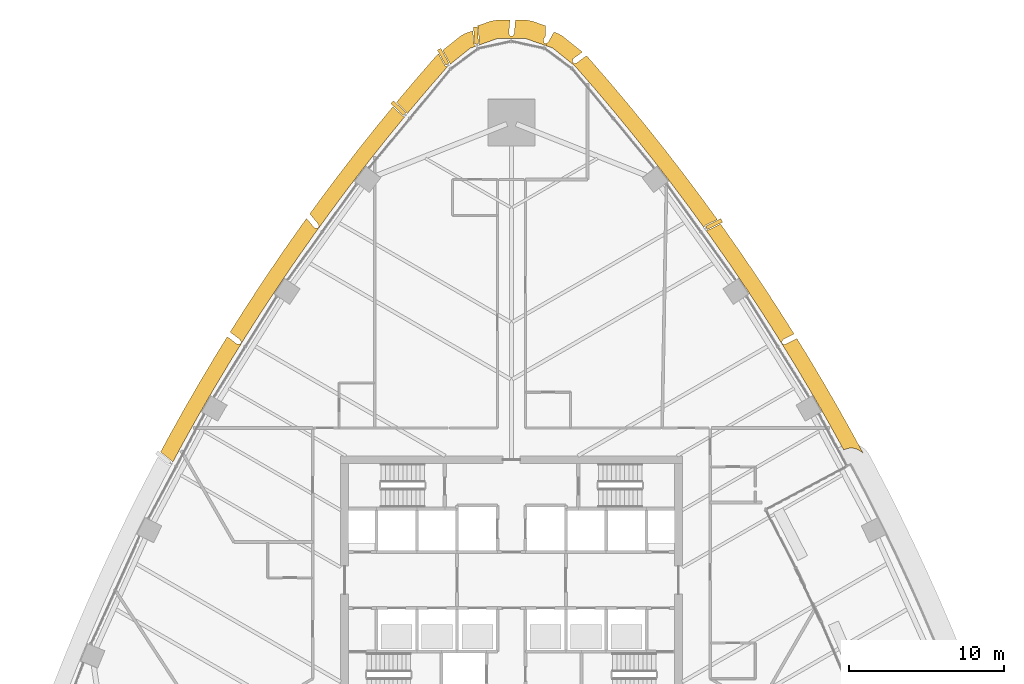
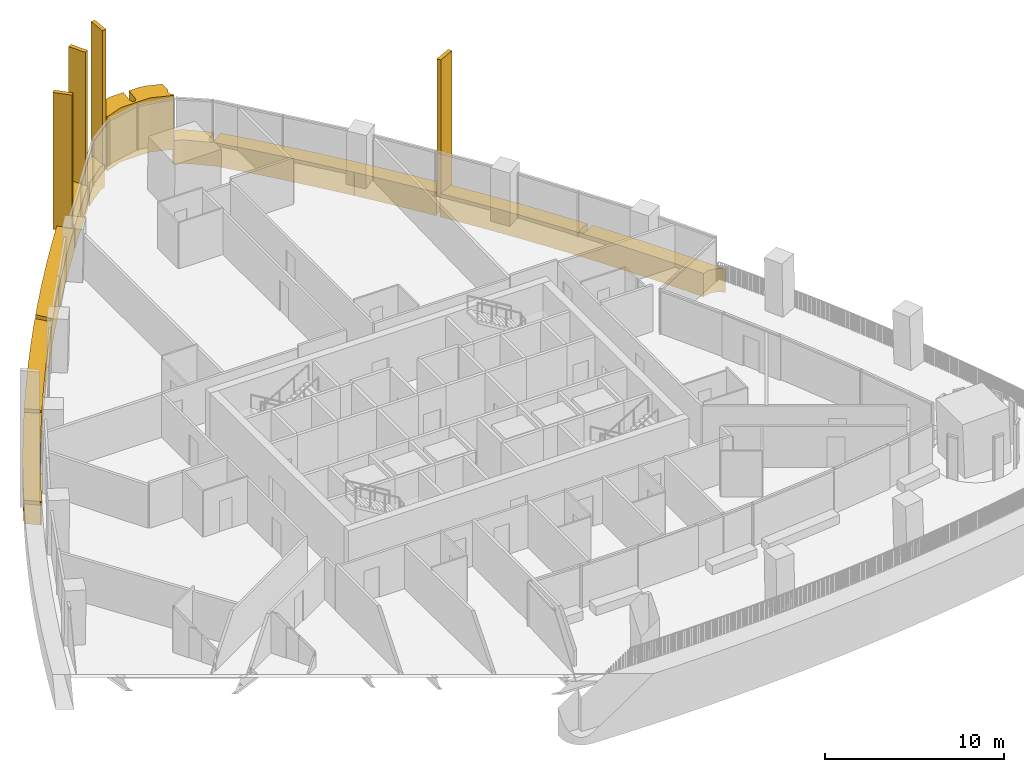
# One storey, part 21 of 22: 10 coverings.
"""IFC4 building model written with IfcOpenShell, lengths in metres."""

from ifc_helpers import new_model, si_unit, direction, frame, origin, origin_2d, place, context, subcontext, project, spatial, polyline, rectangle, outline, extrude, material, layer, layer_set, material_profile, profile_set, type_object, element, save


model = new_model("IFC4")

# Units and contexts
model_context = context("Model", 3, precision=1e-05, world=origin(), true_north=direction((0.0, 1.0)))
body_context = subcontext(model_context, "Body", "Model", "MODEL_VIEW")
ifc_project = project(units=[si_unit("LENGTHUNIT", "METRE"), si_unit("AREAUNIT", "SQUARE_METRE"), si_unit("VOLUMEUNIT", "CUBIC_METRE"), si_unit("PLANEANGLEUNIT", "RADIAN"), si_unit("MASSUNIT", "GRAM", prefix="KILO")], contexts=[model_context])

# Site, building, storey
site_placement = place(None, origin())
site = spatial("IfcSite", under=ifc_project, at=site_placement, CompositionType="ELEMENT")
building_placement = place(site_placement, origin())
building = spatial("IfcBuilding", under=site, at=building_placement, Name="Sierra Prisma Convention Tower", CompositionType="ELEMENT")
storey_placement = place(building_placement, frame((0.0, 0.0, 103.5)))
storey = spatial("IfcBuildingStorey", under=building, at=storey_placement, Name="L22", CompositionType="ELEMENT", Elevation=103.5)

# Coverings
ifc_material_1 = material(Name="Aluminium composite bronze anodised", Category="aluminium")
ifc_layer_1 = layer(ifc_material_1, 1.199951171875)
ifc_layer_set_1 = layer_set([ifc_layer_1], Name="Bronze corner pier")
covering_type_1 = type_object("IfcCoveringType", Name="Bronze corner pier", PredefinedType="CLADDING", material=ifc_layer_set_1)
covering_1_placement = place(storey_placement, frame((0.0, 0.0, -0.60009765625)))
element("IfcCovering", 1, at=covering_1_placement, inside=storey, type_object=covering_type_1, Name="Corner pier N L22.1", PredefinedType="CLADDING", context=body_context, shape_type="SweptSolid", body=[
    extrude(outline(polyline([(2.085693359375, 34.638427734375), (2.0869140625, 34.6337890625), (2.0888671875, 34.629150390625), (2.09130859375, 34.624755859375), (2.093994140625, 34.62060546875), (2.09716796875, 34.61669921875), (2.1005859375, 34.61328125), (2.1044921875, 34.610107421875), (2.108642578125, 34.607421875), (2.113037109375, 34.60498046875), (2.11767578125, 34.60302734375), (2.199951171875, 34.57421875), (2.199951171875, 34.426513671875), (0.92041015625, 34.87744140625), (-0.92041015625, 34.87744140625), (-2.09619140625, 34.463134765625), (-2.072021484375, 34.53125), (-2.070556640625, 34.5361328125), (-2.069580078125, 34.541259765625), (-2.069091796875, 34.54638671875), (-2.0693359375, 34.5517578125), (-2.154052734375, 35.6484375), (-2.15478515625, 35.6533203125), (-2.15576171875, 35.658203125), (-2.1572265625, 35.662841796875), (-2.1591796875, 35.667236328125), (-2.161865234375, 35.67138671875), (-2.16455078125, 35.675537109375), (-2.167724609375, 35.67919921875), (-2.17138671875, 35.6826171875), (-2.17529296875, 35.685546875), (-2.179443359375, 35.688232421875), (-2.183837890625, 35.6904296875), (-2.1884765625, 35.692138671875), (-2.193115234375, 35.693359375), (-2.197998046875, 35.6943359375), (-2.199951171875, 35.6943359375), (-2.199951171875, 35.69873046875), (-1.3193359375, 36.00927734375), (-0.92041015625, 36.077392578125), (-0.09912109375, 36.077392578125), (-0.17431640625, 35.216796875), (-0.174560546875, 35.2119140625), (-0.17431640625, 35.206787109375), (-0.17333984375, 35.201904296875), (-0.172119140625, 35.197021484375), (-0.170166015625, 35.1923828125), (-0.16796875, 35.187744140625), (-0.093505859375, 35.056884765625), (-0.0908203125, 35.052978515625), (-0.087890625, 35.049072265625), (-0.084716796875, 35.045654296875), (-0.0810546875, 35.04248046875), (-0.0771484375, 35.039794921875), (-0.072998046875, 35.037353515625), (-0.068603515625, 35.035400390625), (-0.064208984375, 35.03369140625), (-0.0595703125, 35.032470703125), (-0.0546875, 35.031982421875), (-0.050048828125, 35.031494140625), (0.050048828125, 35.031494140625), (0.054931640625, 35.031982421875), (0.059814453125, 35.03271484375), (0.064453125, 35.03369140625), (0.06884765625, 35.035400390625), (0.0732421875, 35.037353515625), (0.077392578125, 35.039794921875), (0.081298828125, 35.042724609375), (0.085205078125, 35.0458984375), (0.08837890625, 35.049560546875), (0.09130859375, 35.053466796875), (0.165771484375, 35.16259765625), (0.16845703125, 35.1669921875), (0.170654296875, 35.17138671875), (0.17236328125, 35.17626953125), (0.173583984375, 35.181396484375), (0.17431640625, 35.186279296875), (0.252197265625, 36.077392578125), (0.92041015625, 36.077392578125), (1.3193359375, 36.00927734375), (2.199951171875, 35.69873046875), (2.199951171875, 35.065185546875), (2.06884765625, 34.832763671875), (2.06689453125, 34.82861328125), (2.065185546875, 34.82421875), (2.063720703125, 34.81982421875), (2.06298828125, 34.815185546875), (2.0625, 34.810546875), (2.0625, 34.805908203125), (2.06298828125, 34.801513671875), (2.084716796875, 34.643310546875), (2.085693359375, 34.638427734375)])), origin(), (0.0, 0.0, 1.0), 3.7001953125),
])
ifc_material_2 = material(Name="Aluminium 6063-T6 bronze anodised", Category="aluminium")
ifc_material_profile = material_profile(ifc_material_2, rectangle(XDim=1.10009765625, YDim=0.25, at=origin_2d()), Name="ALU FIN 1100x250")
ifc_profile_set = profile_set([ifc_material_profile], Name="Aluminium 6063-T6 bronze anodised")
covering_type_2 = type_object("IfcCoveringType", Name="Bronze facade fin", PredefinedType="CLADDING", material=ifc_profile_set)
for number, where, z_axis, x_axis, name in (
    (2, (13.049072265625, 22.931396484375, -0.300048828125), (0.0, 0.0, 1.0), (0.899257572241, 0.437419499757, 0.0), "Fin L22.7"),
    (3, (-2.2861328125, 35.086669921875, -0.300048828125), (0.0, 0.0, 1.0), (-0.07703600304, 0.997028311652, 0.0), "Fin L22.14"),
    (4, (-4.397705078125, 33.713134765625, -0.300048828125), (0.0, 0.0, 1.0), (-0.482310760127, 0.876000188736, 0.0), "Fin L22.15"),
    (5, (-7.286376953125, 30.40380859375, -0.300048828125), (0.0, 0.0, 1.0), (-0.715287121265, 0.69883069062, 0.0), "Fin L22.16"),
):
    element("IfcCovering", number, at=place(storey_placement, frame(where, z_axis=z_axis, x_axis=x_axis)), inside=storey, type_object=covering_type_2, Name=name, ObjectType="FIN", PredefinedType="CLADDING", context=body_context, shape_type="SweptSolid", body=[
        extrude(rectangle(XDim=1.10009765625, YDim=0.25, at=origin_2d()), origin(), (0.0, 0.0, 1.0), 9.35009765625),
    ])
ifc_material_3 = material(Name="Aluminium composite bronze anodised", Category="aluminium")
ifc_layer_2 = layer(ifc_material_3, 1.0)
ifc_layer_set_2 = layer_set([ifc_layer_2], Name="Bronze spandrel band")
covering_type_3 = type_object("IfcCoveringType", Name="Bronze spandrel band", PredefinedType="CLADDING", material=ifc_layer_set_2)
covering_2_placement = place(storey_placement, frame((0.0, 0.0, -1.60009765625)))
element("IfcCovering", 6, at=covering_2_placement, inside=storey, type_object=covering_type_3, Name="Spandrel band L22.3", PredefinedType="CLADDING", context=body_context, shape_type="SweptSolid", body=[
    extrude(outline(polyline([(15.33203125, 18.466064453125), (15.32958984375, 18.47021484375), (14.99609375, 18.9677734375), (14.99560546875, 18.96875), (14.9951171875, 18.969482421875), (14.66162109375, 19.467041015625), (14.65869140625, 19.47119140625), (14.655517578125, 19.474609375), (14.65185546875, 19.47802734375), (14.64794921875, 19.48095703125), (14.646240234375, 19.48193359375), (13.878173828125, 20.6103515625), (12.736572265625, 22.235107421875), (12.523193359375, 22.529541015625), (12.6083984375, 22.528564453125), (12.61328125, 22.52880859375), (12.617919921875, 22.529296875), (12.622314453125, 22.5302734375), (12.626708984375, 22.53173828125), (12.631103515625, 22.533447265625), (13.46240234375, 22.93798828125), (13.54638671875, 22.822021484375), (13.554931640625, 22.81005859375), (14.696533203125, 21.18505859375), (14.704833984375, 21.173095703125), (15.822265625, 19.531494140625), (15.83056640625, 19.51904296875), (16.923583984375, 17.861083984375), (16.931640625, 17.8486328125), (18.0, 16.1748046875), (18.0078125, 16.162109375), (18.1953125, 15.8583984375), (17.503662109375, 15.50537109375), (17.499267578125, 15.502685546875), (17.4951171875, 15.5), (17.4912109375, 15.49658203125), (17.48779296875, 15.492919921875), (17.48486328125, 15.48876953125), (17.482421875, 15.484619140625), (17.410888671875, 15.351806640625), (17.40869140625, 15.34765625), (17.4072265625, 15.343017578125), (17.406005859375, 15.33837890625), (17.4052734375, 15.333740234375), (17.40478515625, 15.328857421875), (17.405029296875, 15.32421875), (17.40576171875, 15.3193359375), (17.40673828125, 15.314697265625), (17.408203125, 15.310302734375), (17.41015625, 15.305908203125), (17.41259765625, 15.301513671875), (17.465576171875, 15.216796875), (17.46826171875, 15.212890625), (17.471435546875, 15.209228515625), (17.47509765625, 15.205810546875), (17.478759765625, 15.202880859375), (17.48291015625, 15.2001953125), (17.4873046875, 15.197998046875), (17.49169921875, 15.196044921875), (17.496337890625, 15.19482421875), (17.501220703125, 15.19384765625), (17.505859375, 15.193359375), (17.637939453125, 15.188232421875), (17.64306640625, 15.188232421875), (17.648193359375, 15.188720703125), (17.6533203125, 15.18994140625), (17.657958984375, 15.19140625), (17.66259765625, 15.193603515625), (18.3798828125, 15.5595703125), (19.051025390625, 14.47265625), (19.058837890625, 14.4599609375), (20.0771484375, 12.755126953125), (20.084716796875, 12.7421875), (21.077392578125, 11.022705078125), (21.084716796875, 11.009765625), (22.052001953125, 9.275390625), (22.05908203125, 9.262451171875), (22.666748046875, 8.13427734375), (22.600830078125, 8.206787109375), (22.526611328125, 8.273681640625), (22.4462890625, 8.3330078125), (22.360595703125, 8.384033203125), (22.270263671875, 8.426513671875), (22.176025390625, 8.460205078125), (22.0791015625, 8.484375), (21.98046875, 8.498779296875), (21.880615234375, 8.503662109375), (21.781005859375, 8.498779296875), (21.68212890625, 8.48388671875), (21.585205078125, 8.459716796875), (21.4912109375, 8.426025390625), (21.40087890625, 8.38330078125), (21.397705078125, 8.381591796875), (21.1787109375, 8.788330078125), (20.21142578125, 10.522705078125), (20.0244140625, 10.8466796875), (20.0234375, 10.85107421875), (20.022216796875, 10.855712890625), (20.0205078125, 10.8603515625), (20.01806640625, 10.86474609375), (19.418212890625, 11.90380859375), (19.41552734375, 11.907958984375), (19.412353515625, 11.911865234375), (19.408935546875, 11.915283203125), (19.405517578125, 11.918212890625), (19.218505859375, 12.2421875), (18.2001953125, 13.947265625), (17.156982421875, 15.63671875), (16.088623046875, 17.310791015625), (15.33740234375, 18.450439453125), (15.3369140625, 18.452392578125), (15.335693359375, 18.45703125), (15.333984375, 18.461669921875), (15.33203125, 18.466064453125)])), origin(), (0.0, 0.0, 1.0), 1.60009765625),
])
covering_3_placement = place(storey_placement, frame((0.0, 0.0, -1.60009765625)))
element("IfcCovering", 7, at=covering_3_placement, inside=storey, type_object=covering_type_3, Name="Spandrel band L22.4", PredefinedType="CLADDING", context=body_context, shape_type="SweptSolid", body=[
    extrude(outline(polyline([(-17.50537109375, 15.193359375), (-17.50048828125, 15.19384765625), (-17.495849609375, 15.19482421875), (-17.4912109375, 15.1962890625), (-17.48681640625, 15.197998046875), (-17.482666015625, 15.2001953125), (-17.478515625, 15.202880859375), (-17.474853515625, 15.205810546875), (-17.471435546875, 15.209228515625), (-17.468505859375, 15.212890625), (-17.465576171875, 15.216796875), (-17.41259765625, 15.301513671875), (-17.41015625, 15.305908203125), (-17.408203125, 15.310302734375), (-17.40673828125, 15.314697265625), (-17.40576171875, 15.319580078125), (-17.405029296875, 15.324462890625), (-17.405029296875, 15.3291015625), (-17.4052734375, 15.333984375), (-17.406005859375, 15.3388671875), (-17.407470703125, 15.343505859375), (-17.4091796875, 15.34814453125), (-17.462158203125, 15.468994140625), (-17.46435546875, 15.4736328125), (-17.467041015625, 15.47802734375), (-17.47021484375, 15.482177734375), (-17.473876953125, 15.485595703125), (-17.477783203125, 15.489013671875), (-18.122802734375, 15.975830078125), (-18.0078125, 16.162109375), (-18.0, 16.1748046875), (-16.931640625, 17.8486328125), (-16.923583984375, 17.861083984375), (-15.83056640625, 19.51904296875), (-15.822265625, 19.531494140625), (-14.704833984375, 21.173095703125), (-14.696533203125, 21.18505859375), (-13.554931640625, 22.81005859375), (-13.54638671875, 22.822021484375), (-13.2021484375, 23.296630859375), (-12.716796875, 22.7119140625), (-12.71337890625, 22.7080078125), (-12.709716796875, 22.704833984375), (-12.705810546875, 22.701904296875), (-12.701416015625, 22.699462890625), (-12.697021484375, 22.697265625), (-12.692138671875, 22.69580078125), (-12.687255859375, 22.694580078125), (-12.522216796875, 22.664306640625), (-12.517333984375, 22.66357421875), (-12.5126953125, 22.663330078125), (-12.508056640625, 22.663818359375), (-12.50341796875, 22.664306640625), (-12.498779296875, 22.66552734375), (-12.494140625, 22.6669921875), (-12.489990234375, 22.669189453125), (-12.48583984375, 22.67138671875), (-12.48193359375, 22.67431640625), (-12.478515625, 22.67724609375), (-12.47509765625, 22.680908203125), (-12.472412109375, 22.6845703125), (-12.41455078125, 22.76611328125), (-12.411865234375, 22.770263671875), (-12.40966796875, 22.774658203125), (-12.40771484375, 22.779296875), (-12.406494140625, 22.7841796875), (-12.405517578125, 22.7890625), (-12.4052734375, 22.7939453125), (-12.405517578125, 22.798828125), (-12.406005859375, 22.8037109375), (-12.4072265625, 22.80859375), (-12.437744140625, 22.9169921875), (-12.439453125, 22.921875), (-12.441650390625, 22.9267578125), (-12.4443359375, 22.93115234375), (-12.447509765625, 22.935302734375), (-12.989990234375, 23.589111328125), (-12.380859375, 24.4296875), (-12.3720703125, 24.441650390625), (-11.182861328125, 26.031982421875), (-11.173828125, 26.0439453125), (-9.961181640625, 27.616455078125), (-9.9521484375, 27.628173828125), (-8.71630859375, 29.1826171875), (-8.70703125, 29.194091796875), (-7.63623046875, 30.500732421875), (-7.015380859375, 29.894287109375), (-7.011474609375, 29.890869140625), (-7.00732421875, 29.887939453125), (-7.0029296875, 29.885498046875), (-6.998291015625, 29.88330078125), (-6.99365234375, 29.8818359375), (-6.98876953125, 29.880615234375), (-6.868408203125, 29.860107421875), (-7.93359375, 28.560302734375), (-9.169189453125, 27.005859375), (-9.397705078125, 26.70947265625), (-9.401611328125, 26.70703125), (-9.405517578125, 26.7041015625), (-9.408935546875, 26.70068359375), (-9.412109375, 26.697021484375), (-10.14501953125, 25.74658203125), (-10.147705078125, 25.74267578125), (-10.14990234375, 25.738525390625), (-10.15185546875, 25.734130859375), (-10.1533203125, 25.729736328125), (-10.153564453125, 25.7294921875), (-10.3818359375, 25.43310546875), (-11.571044921875, 23.843017578125), (-12.736572265625, 22.235107421875), (-13.878173828125, 20.6103515625), (-14.646240234375, 19.48193359375), (-14.64794921875, 19.48095703125), (-14.65185546875, 19.47802734375), (-14.655517578125, 19.474609375), (-14.65869140625, 19.47119140625), (-14.66162109375, 19.467041015625), (-14.9951171875, 18.969482421875), (-14.99560546875, 18.96875), (-14.99609375, 18.9677734375), (-15.32958984375, 18.47021484375), (-15.33203125, 18.466064453125), (-15.333984375, 18.461669921875), (-15.335693359375, 18.45703125), (-15.3369140625, 18.452392578125), (-15.33740234375, 18.450439453125), (-16.088623046875, 17.310791015625), (-17.156982421875, 15.63671875), (-18.2001953125, 13.947265625), (-19.218505859375, 12.2421875), (-19.405517578125, 11.918212890625), (-19.408935546875, 11.915283203125), (-19.412353515625, 11.911865234375), (-19.41552734375, 11.907958984375), (-19.418212890625, 11.90380859375), (-20.01806640625, 10.86474609375), (-20.0205078125, 10.8603515625), (-20.022216796875, 10.855712890625), (-20.0234375, 10.85107421875), (-20.0244140625, 10.8466796875), (-20.21142578125, 10.522705078125), (-21.1787109375, 8.788330078125), (-21.827880859375, 7.58251953125), (-21.8642578125, 7.659912109375), (-21.8662109375, 7.6640625), (-21.868896484375, 7.66796875), (-21.87158203125, 7.671630859375), (-21.875, 7.6748046875), (-21.87841796875, 7.677978515625), (-22.60400390625, 8.2509765625), (-22.05908203125, 9.262451171875), (-22.052001953125, 9.275390625), (-21.084716796875, 11.009765625), (-21.077392578125, 11.022705078125), (-20.084716796875, 12.7421875), (-20.0771484375, 12.755126953125), (-19.058837890625, 14.4599609375), (-19.051025390625, 14.47265625), (-18.3076171875, 15.6767578125), (-17.688720703125, 15.209716796875), (-17.6845703125, 15.206787109375), (-17.679931640625, 15.204345703125), (-17.67529296875, 15.202392578125), (-17.670654296875, 15.200927734375), (-17.66552734375, 15.2001953125), (-17.66064453125, 15.19970703125), (-17.510009765625, 15.193359375), (-17.50537109375, 15.193359375)])), origin(), (0.0, 0.0, 1.0), 1.60009765625),
])
covering_4_placement = place(storey_placement, frame((0.0, 0.0, -1.60009765625)))
element("IfcCovering", 8, at=covering_4_placement, inside=storey, type_object=covering_type_3, Name="Spandrel band L22.5", PredefinedType="CLADDING", context=body_context, shape_type="SweptSolid", body=[
    extrude(outline(polyline([(-6.75927734375, 30.127685546875), (-6.761474609375, 30.13232421875), (-6.76416015625, 30.13671875), (-6.76708984375, 30.140869140625), (-6.770751953125, 30.14453125), (-7.4130859375, 30.772216796875), (-6.15771484375, 32.258544921875), (-6.14794921875, 32.269775390625), (-4.844482421875, 33.767822265625), (-4.717041015625, 33.890380859375), (-4.701904296875, 33.902587890625), (-4.28564453125, 33.146728515625), (-4.283203125, 33.142822265625), (-4.280517578125, 33.13916015625), (-4.27734375, 33.1357421875), (-4.27392578125, 33.132568359375), (-4.270263671875, 33.1298828125), (-4.266357421875, 33.127197265625), (-4.26220703125, 33.125244140625), (-4.129150390625, 33.06640625), (-5.3935546875, 31.61328125), (-6.6748046875, 30.09619140625), (-6.72998046875, 30.02880859375), (-6.757568359375, 30.122802734375), (-6.75927734375, 30.127685546875)])), origin(), (0.0, 0.0, 1.0), 1.60009765625),
])
covering_5_placement = place(storey_placement, frame((0.0, 0.0, -1.60009765625)))
element("IfcCovering", 9, at=covering_5_placement, inside=storey, type_object=covering_type_3, Name="Spandrel band L22.6", PredefinedType="CLADDING", context=body_context, shape_type="SweptSolid", body=[
    extrude(outline(polyline([(-3.97900390625, 33.315673828125), (-4.425048828125, 34.12548828125), (-3.283447265625, 35.04443359375), (-2.98876953125, 35.208740234375), (-2.48486328125, 35.38623046875), (-2.418212890625, 34.52490234375), (-2.41748046875, 34.519775390625), (-2.41650390625, 34.514892578125), (-2.414794921875, 34.51025390625), (-2.412841796875, 34.505615234375), (-2.410400390625, 34.50146484375), (-2.407470703125, 34.497314453125), (-2.404296875, 34.49365234375), (-2.302978515625, 34.39013671875), (-2.65625, 34.265625), (-3.9697265625, 33.208251953125), (-3.972900390625, 33.29345703125), (-3.973388671875, 33.298095703125), (-3.97412109375, 33.302734375), (-3.975341796875, 33.30712890625), (-3.97705078125, 33.3115234375), (-3.97900390625, 33.315673828125)])), origin(), (0.0, 0.0, 1.0), 1.60009765625),
])
covering_6_placement = place(storey_placement, frame((0.0, 0.0, -1.60009765625)))
element("IfcCovering", 10, at=covering_6_placement, inside=storey, type_object=covering_type_3, Name="Spandrel band L22.7", PredefinedType="CLADDING", context=body_context, shape_type="SweptSolid", body=[
    extrude(outline(polyline([(2.365234375, 34.64990234375), (2.368408203125, 34.6533203125), (2.371337890625, 34.656982421875), (2.373779296875, 34.660888671875), (2.7333984375, 35.298583984375), (2.98876953125, 35.208740234375), (3.283447265625, 35.04443359375), (4.56298828125, 34.014404296875), (3.987548828125, 33.593994140625), (3.983642578125, 33.5908203125), (3.980224609375, 33.587158203125), (3.97705078125, 33.58349609375), (3.97412109375, 33.579345703125), (3.971923828125, 33.574951171875), (3.969970703125, 33.5703125), (3.968505859375, 33.5654296875), (3.927978515625, 33.402587890625), (3.927001953125, 33.39794921875), (3.9267578125, 33.393310546875), (3.926513671875, 33.388427734375), (3.927001953125, 33.3837890625), (3.927978515625, 33.379150390625), (3.92919921875, 33.37451171875), (3.930908203125, 33.3701171875), (3.93310546875, 33.365966796875), (3.935546875, 33.36181640625), (3.9384765625, 33.358154296875), (3.941650390625, 33.354736328125), (3.9453125, 33.3515625), (4.023193359375, 33.288818359375), (4.027099609375, 33.285888671875), (4.031494140625, 33.283447265625), (4.035888671875, 33.28125), (4.04052734375, 33.27978515625), (4.04541015625, 33.278564453125), (4.05029296875, 33.27783203125), (4.05517578125, 33.277587890625), (4.060302734375, 33.278076171875), (4.065185546875, 33.27880859375), (4.175048828125, 33.302734375), (4.18017578125, 33.30419921875), (4.18505859375, 33.305908203125), (4.189697265625, 33.308349609375), (4.194091796875, 33.311279296875), (4.83349609375, 33.7783203125), (4.844482421875, 33.767822265625), (6.14794921875, 32.269775390625), (6.15771484375, 32.258544921875), (7.43896484375, 30.741455078125), (7.448486328125, 30.72998046875), (8.70703125, 29.194091796875), (8.71630859375, 29.1826171875), (9.9521484375, 27.628173828125), (9.961181640625, 27.616455078125), (11.173828125, 26.0439453125), (11.182861328125, 26.031982421875), (12.3720703125, 24.441650390625), (12.380859375, 24.4296875), (13.253662109375, 23.2255859375), (12.477783203125, 22.848388671875), (12.473876953125, 22.84619140625), (12.469970703125, 22.843505859375), (12.46630859375, 22.840576171875), (12.463134765625, 22.83740234375), (12.460205078125, 22.833740234375), (12.45751953125, 22.829833984375), (12.455078125, 22.82568359375), (12.39501953125, 22.70654296875), (11.571044921875, 23.843017578125), (10.3818359375, 25.43310546875), (10.153564453125, 25.7294921875), (10.1533203125, 25.729736328125), (10.15185546875, 25.734130859375), (10.14990234375, 25.738525390625), (10.147705078125, 25.74267578125), (10.14501953125, 25.74658203125), (9.412109375, 26.697021484375), (9.408935546875, 26.70068359375), (9.405517578125, 26.7041015625), (9.401611328125, 26.70703125), (9.397705078125, 26.70947265625), (9.169189453125, 27.005859375), (7.93359375, 28.560302734375), (6.6748046875, 30.09619140625), (5.3935546875, 31.61328125), (4.090087890625, 33.111328125), (2.65625, 34.265625), (2.2099609375, 34.4228515625), (2.2099609375, 34.570556640625), (2.2119140625, 34.56982421875), (2.216796875, 34.568359375), (2.221923828125, 34.5673828125), (2.22705078125, 34.56689453125), (2.232421875, 34.567138671875), (2.2373046875, 34.56787109375), (2.242431640625, 34.569091796875), (2.247314453125, 34.57080078125), (2.251953125, 34.572998046875), (2.256591796875, 34.575439453125), (2.358154296875, 34.643798828125), (2.36181640625, 34.646728515625), (2.365234375, 34.64990234375)])), origin(), (0.0, 0.0, 1.0), 1.60009765625),
])

save(model, "model.ifc")
